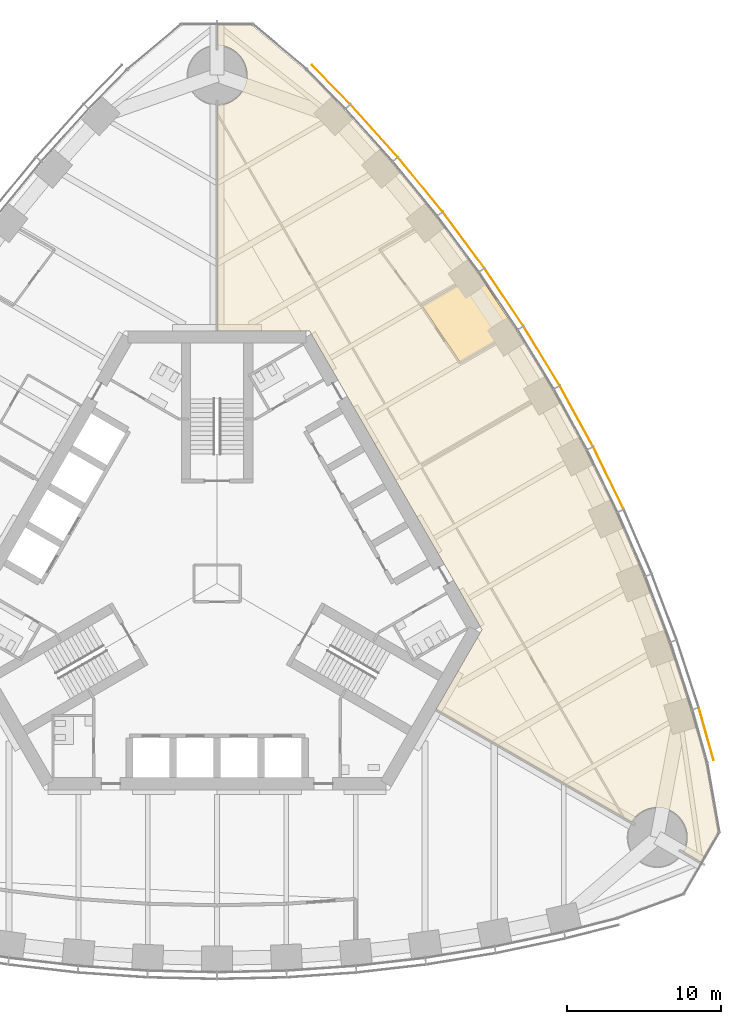
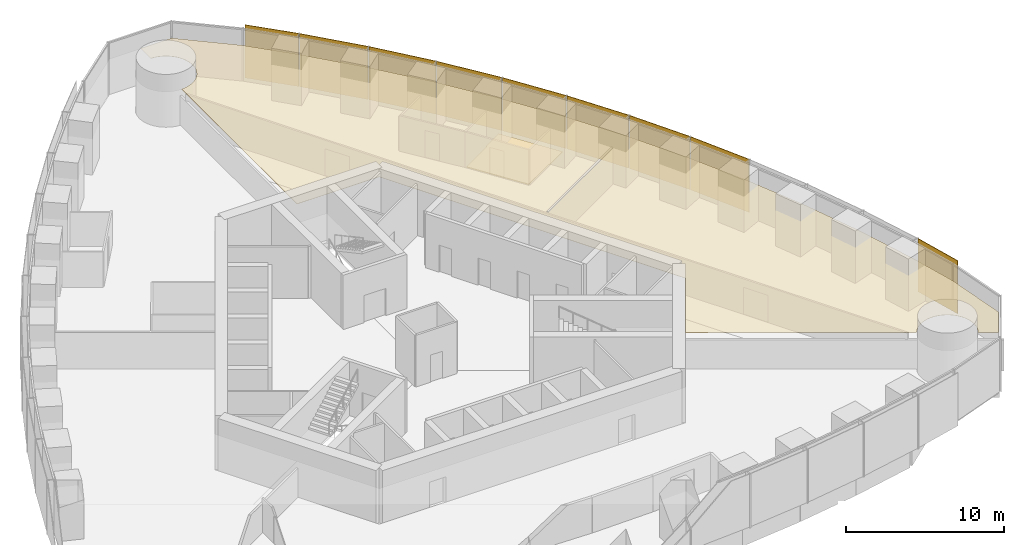
# One storey, part 16 of 18: 9 shading devices, 2 coverings.
"""IFC4 building model written with IfcOpenShell, lengths in metres."""

from ifc_helpers import new_model, si_unit, direction, frame, origin, origin_2d, place, context, subcontext, project, spatial, polyline, rectangle, outline, extrude, material, layer, layer_set, type_object, element, save


model = new_model("IFC4")

# Units and contexts
model_context = context("Model", 3, precision=1e-05, world=origin(), true_north=direction((0.0, 1.0)))
body_context = subcontext(model_context, "Body", "Model", "MODEL_VIEW")
ifc_project = project(units=[si_unit("LENGTHUNIT", "METRE"), si_unit("AREAUNIT", "SQUARE_METRE"), si_unit("VOLUMEUNIT", "CUBIC_METRE"), si_unit("PLANEANGLEUNIT", "RADIAN"), si_unit("MASSUNIT", "GRAM", prefix="KILO")], contexts=[model_context])

# Site, building, storey
site_placement = place(None, origin())
site = spatial("IfcSite", under=ifc_project, at=site_placement, CompositionType="ELEMENT")
building_placement = place(site_placement, origin())
building = spatial("IfcBuilding", under=site, at=building_placement, Name="Trefoil Bronze Tower", CompositionType="ELEMENT")
storey_placement = place(building_placement, frame((0.0, 0.0, 198.10009765625)))
storey = spatial("IfcBuildingStorey", under=building, at=storey_placement, Name="L45", CompositionType="ELEMENT", Elevation=198.10009765625)

# Shading devices
ifc_material_1 = material(Name="Perforated bronze sheet", Category="bronze")
ifc_layer_1 = layer(ifc_material_1, 0.0400390625)
ifc_layer_set_1 = layer_set([ifc_layer_1], Name="Bronze solar screen panel")
shading_device_type = type_object("IfcShadingDeviceType", Name="Bronze solar screen panel", PredefinedType="SHUTTER", material=ifc_layer_set_1)
shading_device_1_placement = place(storey_placement, frame((31.764892578125, -9.7890625, 0.0498046875), z_axis=(0.0, 0.0, 1.0), x_axis=(-0.270282222968, 0.962781138134, 0.0)))
element("IfcShadingDevice", 1, at=shading_device_1_placement, inside=storey, type_object=shading_device_type, Name="Solar screen CW-A L45 F2 bay 1", PredefinedType="SHUTTER", context=body_context, shape_type="SweptSolid", body=[
    extrude(rectangle(XDim=3.53369140625, YDim=0.0400390625, at=origin_2d()), origin(), (0.0, 0.0, 1.0), 4.10009765625),
])
shading_device_2_placement = place(storey_placement, frame((25.4169921875, 6.83740234375, 0.0498046875), z_axis=(0.0, 0.0, 1.0), x_axis=(-0.439129033334, 0.898424004623, 0.0)))
element("IfcShadingDevice", 2, at=shading_device_2_placement, inside=storey, type_object=shading_device_type, Name="Solar screen CW-A L45 F2 bay 5", PredefinedType="SHUTTER", context=body_context, shape_type="SweptSolid", body=[
    extrude(rectangle(XDim=4.480712890625, YDim=0.0400390625, at=origin_2d()), origin(), (0.0, 0.0, 1.0), 4.10009765625),
])
for number, where, z_axis, x_axis, name in (
    (3, (23.3349609375, 10.860107421875, 0.0498046875), (0.0, 0.0, 1.0), (-0.479974003504, 0.877282711536, 0.0), "Solar screen CW-A L45 F2 bay 6"),
    (4, (21.07275390625, 14.77880859375, 0.0498046875), (0.0, 0.0, 1.0), (-0.519762112739, 0.854311035959, 0.0), "Solar screen CW-A L45 F2 bay 7"),
):
    element("IfcShadingDevice", number, at=place(storey_placement, frame(where, z_axis=z_axis, x_axis=x_axis)), inside=storey, type_object=shading_device_type, Name=name, PredefinedType="SHUTTER", context=body_context, shape_type="SweptSolid", body=[
        extrude(rectangle(XDim=4.47119140625, YDim=0.0400390625, at=origin_2d()), origin(), (0.0, 0.0, 1.0), 4.10009765625),
    ])
shading_device_3_placement = place(storey_placement, frame((18.6298828125, 18.59326171875, 0.0498046875), z_axis=(0.0, 0.0, 1.0), x_axis=(-0.558493494706, 0.829508900718, 0.0)))
element("IfcShadingDevice", 5, at=shading_device_3_placement, inside=storey, type_object=shading_device_type, Name="Solar screen CW-A L45 F2 bay 8", PredefinedType="SHUTTER", context=body_context, shape_type="SweptSolid", body=[
    extrude(rectangle(XDim=4.480712890625, YDim=0.0400390625, at=origin_2d()), origin(), (0.0, 0.0, 1.0), 4.10009765625),
])
shading_device_4_placement = place(storey_placement, frame((16.005615234375, 22.302734375, 0.0498046875), z_axis=(0.0, 0.0, 1.0), x_axis=(-0.596161525977, 0.802864518425, 0.0)))
element("IfcShadingDevice", 6, at=shading_device_4_placement, inside=storey, type_object=shading_device_type, Name="Solar screen CW-A L45 F2 bay 9", PredefinedType="SHUTTER", context=body_context, shape_type="SweptSolid", body=[
    extrude(rectangle(XDim=4.5, YDim=0.0400390625, at=origin_2d()), origin(), (0.0, 0.0, 1.0), 4.10009765625),
])
shading_device_5_placement = place(storey_placement, frame((13.197509765625, 25.90625, 0.0498046875), z_axis=(0.0, 0.0, 1.0), x_axis=(-0.63275261301, 0.774354008661, 0.0)))
element("IfcShadingDevice", 7, at=shading_device_5_placement, inside=storey, type_object=shading_device_type, Name="Solar screen CW-A L45 F2 bay 10", PredefinedType="SHUTTER", context=body_context, shape_type="SweptSolid", body=[
    extrude(rectangle(XDim=4.529296875, YDim=0.0400390625, at=origin_2d()), origin(), (0.0, 0.0, 1.0), 4.10009765625),
])
shading_device_6_placement = place(storey_placement, frame((10.20166015625, 29.401611328125, 0.0498046875), z_axis=(0.0, 0.0, 1.0), x_axis=(-0.668245744076, 0.743940606181, 0.0)))
element("IfcShadingDevice", 8, at=shading_device_6_placement, inside=storey, type_object=shading_device_type, Name="Solar screen CW-A L45 F2 bay 11", PredefinedType="SHUTTER", context=body_context, shape_type="SweptSolid", body=[
    extrude(rectangle(XDim=4.5693359375, YDim=0.0400390625, at=origin_2d()), origin(), (0.0, 0.0, 1.0), 4.10009765625),
])
shading_device_7_placement = place(storey_placement, frame((7.40478515625, 32.40380859375, 0.0498046875), z_axis=(0.0, 0.0, 1.0), x_axis=(-0.698651812425, 0.715461840349, 0.0)))
element("IfcShadingDevice", 9, at=shading_device_7_placement, inside=storey, type_object=shading_device_type, Name="Solar screen CW-A L45 F2 bay 12", PredefinedType="SHUTTER", context=body_context, shape_type="SweptSolid", body=[
    extrude(rectangle(XDim=3.53369140625, YDim=0.0400390625, at=origin_2d()), origin(), (0.0, 0.0, 1.0), 4.10009765625),
])

# Coverings
ifc_material_2 = material(Name="Acoustic ceiling panels", Category="mineral fibre")
ifc_layer_2 = layer(ifc_material_2, 0.02001953125)
ifc_layer_set_2 = layer_set([ifc_layer_2], Name="Office ceiling 20")
covering_type_1 = type_object("IfcCoveringType", Name="Office ceiling 20", PredefinedType="CEILING", material=ifc_layer_set_2)
covering_1_placement = place(storey_placement, frame((0.0, 0.0, 2.89990234375)))
element("IfcCovering", 10, at=covering_1_placement, inside=storey, type_object=covering_type_1, Name="Ceiling L45 Open-plan office F2", PredefinedType="CEILING", context=body_context, shape_type="SweptSolid", body=[
    extrude(outline(polyline([(8.26318359375, 30.751708984375), (11.3369140625, 27.329833984375), (14.2216796875, 23.79931640625), (16.92236328125, 20.162353515625), (19.44140625, 16.420654296875), (21.781005859375, 12.5751953125), (23.94140625, 8.62646484375), (25.92236328125, 4.573974609375), (27.7216796875, 0.416748046875), (29.3369140625, -3.846923828125), (30.76318359375, -8.219482421875), (31.7265625, -11.650634765625), (32.518310546875, -16.1416015625), (31.385009765625, -18.1044921875), (30.273681640625, -17.46337890625), (30.298583984375, -17.419189453125), (30.341552734375, -17.333740234375), (30.38037109375, -17.24609375), (30.414794921875, -17.156982421875), (30.44482421875, -17.066162109375), (30.470458984375, -16.973876953125), (30.491455078125, -16.88037109375), (30.5078125, -16.7861328125), (30.519287109375, -16.691162109375), (30.526611328125, -16.595703125), (30.52880859375, -16.5), (30.526611328125, -16.404296875), (30.519287109375, -16.308837890625), (30.5078125, -16.2138671875), (30.491455078125, -16.11962890625), (30.470458984375, -16.026123046875), (30.44482421875, -15.933837890625), (30.414794921875, -15.843017578125), (30.38037109375, -15.75390625), (30.341552734375, -15.666259765625), (30.298583984375, -15.580810546875), (30.25146484375, -15.49755859375), (30.2001953125, -15.41650390625), (30.14501953125, -15.33837890625), (30.086181640625, -15.262939453125), (30.023681640625, -15.1904296875), (29.957763671875, -15.12109375), (29.888427734375, -15.05517578125), (29.81591796875, -14.99267578125), (29.740478515625, -14.93359375), (29.662109375, -14.878662109375), (29.581298828125, -14.827392578125), (29.498046875, -14.7802734375), (29.41259765625, -14.7373046875), (29.3251953125, -14.698486328125), (29.23583984375, -14.6640625), (29.14501953125, -14.634033203125), (29.052490234375, -14.6083984375), (28.959228515625, -14.58740234375), (28.864990234375, -14.571044921875), (28.77001953125, -14.559326171875), (28.674560546875, -14.55224609375), (28.578857421875, -14.550048828125), (28.483154296875, -14.55224609375), (28.3876953125, -14.559326171875), (28.292724609375, -14.571044921875), (28.198486328125, -14.58740234375), (28.10498046875, -14.6083984375), (28.0126953125, -14.634033203125), (27.921875, -14.6640625), (27.83251953125, -14.698486328125), (27.7451171875, -14.7373046875), (27.65966796875, -14.7802734375), (27.576416015625, -14.827392578125), (27.49560546875, -14.878662109375), (27.417236328125, -14.93359375), (27.341796875, -14.99267578125), (27.269287109375, -15.05517578125), (27.199951171875, -15.12109375), (27.134033203125, -15.1904296875), (27.071533203125, -15.262939453125), (27.0126953125, -15.33837890625), (26.95751953125, -15.41650390625), (26.896240234375, -15.51513671875), (14.205810546875, -8.194580078125), (17.205078125, -3.0), (6.00439453125, 16.39990234375), (0.006103515625, 16.39990234375), (0.01171875, 31.05029296875), (0.095703125, 31.05224609375), (0.191162109375, 31.059326171875), (0.2861328125, 31.071044921875), (0.38037109375, 31.08740234375), (0.473876953125, 31.1083984375), (0.566162109375, 31.134033203125), (0.656982421875, 31.1640625), (0.74609375, 31.198486328125), (0.833740234375, 31.2373046875), (0.919189453125, 31.2802734375), (1.00244140625, 31.327392578125), (1.08349609375, 31.378662109375), (1.16162109375, 31.43359375), (1.237060546875, 31.49267578125), (1.3095703125, 31.55517578125), (1.37890625, 31.62109375), (1.44482421875, 31.6904296875), (1.50732421875, 31.762939453125), (1.56640625, 31.83837890625), (1.621337890625, 31.91650390625), (1.672607421875, 31.99755859375), (1.7197265625, 32.080810546875), (1.7626953125, 32.166259765625), (1.801513671875, 32.25390625), (1.8359375, 32.343017578125), (1.865966796875, 32.433837890625), (1.8916015625, 32.526123046875), (1.91259765625, 32.61962890625), (1.928955078125, 32.7138671875), (1.940673828125, 32.808837890625), (1.94775390625, 32.904296875), (1.949951171875, 33.0), (1.94775390625, 33.095703125), (1.940673828125, 33.191162109375), (1.928955078125, 33.2861328125), (1.91259765625, 33.38037109375), (1.8916015625, 33.473876953125), (1.865966796875, 33.566162109375), (1.8359375, 33.656982421875), (1.801513671875, 33.74609375), (1.7626953125, 33.833740234375), (1.7197265625, 33.919189453125), (1.672607421875, 34.00244140625), (1.621337890625, 34.08349609375), (1.56640625, 34.16162109375), (1.50732421875, 34.237060546875), (1.44482421875, 34.3095703125), (1.37890625, 34.37890625), (1.3095703125, 34.44482421875), (1.237060546875, 34.50732421875), (1.16162109375, 34.56640625), (1.08349609375, 34.621337890625), (1.00244140625, 34.672607421875), (0.919189453125, 34.7197265625), (0.833740234375, 34.7626953125), (0.74609375, 34.801513671875), (0.656982421875, 34.8359375), (0.566162109375, 34.865966796875), (0.473876953125, 34.8916015625), (0.38037109375, 34.91259765625), (0.2861328125, 34.928955078125), (0.191162109375, 34.940673828125), (0.095703125, 34.94775390625), (0.01318359375, 34.94970703125), (0.013671875, 36.232666015625), (2.280029296875, 36.232666015625), (5.7734375, 33.30126953125), (8.26318359375, 30.751708984375)])), origin(), (0.0, 0.0, 1.0), 0.02001953125),
])
ifc_material_3 = material(Name="Raised access floor panels", Category="steel")
ifc_layer_3 = layer(ifc_material_3, 0.050048828125)
ifc_layer_set_3 = layer_set([ifc_layer_3], Name="Raised access floor 150")
covering_type_2 = type_object("IfcCoveringType", Name="Raised access floor 150", PredefinedType="FLOORING", material=ifc_layer_set_3)
covering_2_placement = place(storey_placement, frame((0.0, 0.0, 0.099853515625)))
element("IfcCovering", 11, at=covering_2_placement, inside=storey, type_object=covering_type_2, Name="Raised floor L45 Meeting room F2", PredefinedType="FLOORING", context=body_context, shape_type="SweptSolid", body=[
    extrude(outline(polyline([(19.44140625, 16.420654296875), (18.0283203125, 15.60498046875), (17.998291015625, 15.65673828125), (15.779296875, 14.375732421875), (13.327392578125, 18.017578125), (15.53466796875, 19.2919921875), (15.504638671875, 19.343994140625), (16.92236328125, 20.162353515625), (19.44140625, 16.420654296875)])), origin(), (0.0, 0.0, 1.0), 0.050048828125),
])

save(model, "model.ifc")
